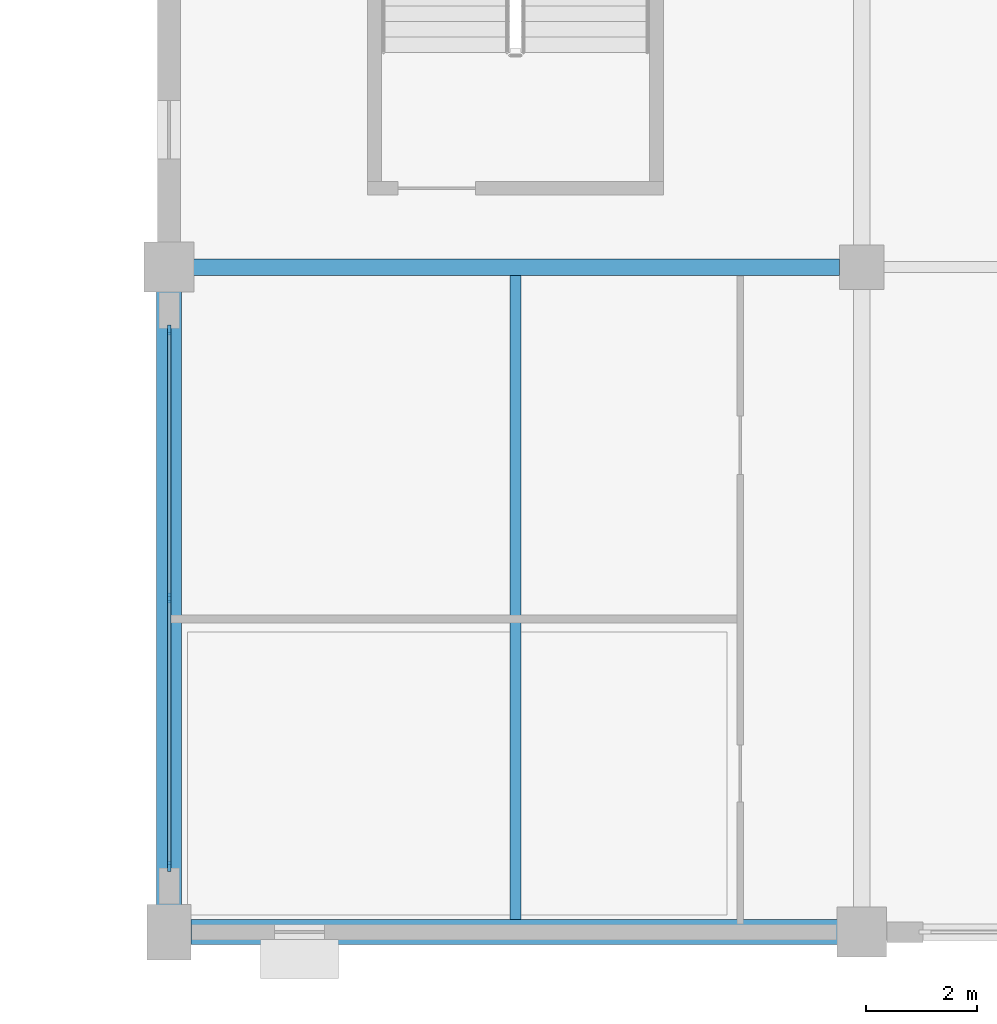
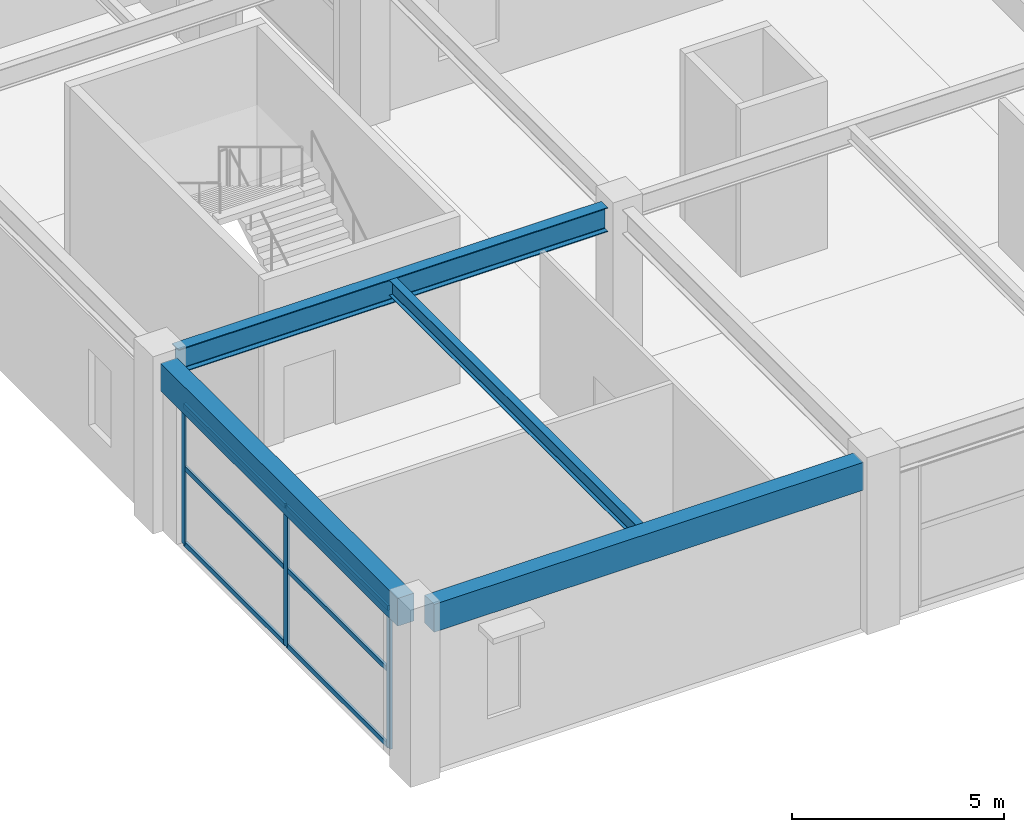
# One storey, part 9 of 116: 9 members, 4 beams, 1 element without a shape of its own.
"""IFC4 building model written with IfcOpenShell, lengths in metres."""

from ifc_helpers import new_model, si_unit, direction, frame, origin, origin_2d, place, context, subcontext, project, spatial, rectangle, i_section, extrude, material, layer, layer_set, material_profile, profile_set, type_object, element, aggregate, save


model = new_model("IFC4")

# Units and contexts
model_context = context("Model", 3, precision=1e-05, world=origin(), true_north=direction((0.0, 1.0)))
body_context = subcontext(model_context, "Body", "Model", "MODEL_VIEW")
ifc_project = project(units=[si_unit("LENGTHUNIT", "METRE"), si_unit("AREAUNIT", "SQUARE_METRE"), si_unit("VOLUMEUNIT", "CUBIC_METRE"), si_unit("PLANEANGLEUNIT", "RADIAN"), si_unit("MASSUNIT", "GRAM", prefix="KILO")], contexts=[model_context])

# Site, building, storey
site_placement = place(None, origin())
site = spatial("IfcSite", under=ifc_project, at=site_placement, CompositionType="ELEMENT")
building_placement = place(site_placement, origin())
building = spatial("IfcBuilding", under=site, at=building_placement, Name="Kazenohara Klinker Stadium", CompositionType="ELEMENT")
storey_placement = place(building_placement, frame((0.0, 0.0, 10.199951171875)))
storey = spatial("IfcBuildingStorey", under=building, at=storey_placement, Name="L02", CompositionType="ELEMENT", Elevation=10.199951171875)

# Beams
ifc_material_1 = material(Name="Steel S355", Category="steel")
ifc_material_profile_1 = material_profile(ifc_material_1, i_section(OverallWidth=0.199951171875, OverallDepth=0.449951171875, WebThickness=0.009033203125, FlangeThickness=0.013916015625, FilletRadius=0.012939453125, at=origin_2d()), Name="H-450x200x9x14")
ifc_profile_set_1 = profile_set([ifc_material_profile_1], Name="Steel S355")
beam_type_1 = type_object("IfcBeamType", Name="BM-JST02", PredefinedType="JOIST", material=ifc_profile_set_1)
beam_1_placement = place(storey_placement, frame((30.25, 12.22509765625, 4.594970703125), z_axis=(0.0, 1.0, 0.0), x_axis=(-1.0, 0.0, 0.0)))
element("IfcBeam", 1, at=beam_1_placement, inside=storey, type_object=beam_type_1, Name="Secondary floor joist SJ02 L02 3/B", PredefinedType="JOIST", context=body_context, shape_type="SweptSolid", body=[
    extrude(i_section(OverallWidth=0.199951171875, OverallDepth=0.449951171875, WebThickness=0.009033203125, FlangeThickness=0.013916015625, FilletRadius=0.012939453125, at=origin_2d()), origin(), (0.0, 0.0, 1.0), 11.625),
])
ifc_material_2 = material(Name="Concrete C40/50", Category="concrete")
ifc_material_profile_2 = material_profile(ifc_material_2, rectangle(XDim=0.449951171875, YDim=0.800048828125, at=origin_2d()), Name="RC-BM-450x800")
ifc_profile_set_2 = profile_set([ifc_material_profile_2], Name="Concrete C40/50")
beam_type_2 = type_object("IfcBeamType", Name="BM-RC03", PredefinedType="BEAM", material=ifc_profile_set_2)
beam_2_placement = place(storey_placement, frame((24.39990234375, 12.0, 4.420166015625), z_axis=(1.0, 0.0, 0.0), x_axis=(0.0, 1.0, 0.0)))
element("IfcBeam", 2, at=beam_2_placement, inside=storey, type_object=beam_type_2, Name="Primary girder BG03 L02 3-4/B", PredefinedType="BEAM", context=body_context, shape_type="SweptSolid", body=[
    extrude(rectangle(XDim=0.449951171875, YDim=0.800048828125, at=origin_2d()), origin(), (0.0, 0.0, 1.0), 11.68017578125),
])
beam_3_placement = place(storey_placement, frame((24.0, 12.419921875, 4.420166015625), z_axis=(0.0, 1.0, 0.0), x_axis=(-1.0, 0.0, 0.0)))
element("IfcBeam", 3, at=beam_3_placement, inside=storey, type_object=beam_type_2, Name="Primary girder BG03 L02 3/B-C", PredefinedType="BEAM", context=body_context, shape_type="SweptSolid", body=[
    extrude(rectangle(XDim=0.449951171875, YDim=0.800048828125, at=origin_2d()), origin(), (0.0, 0.0, 1.0), 11.16015625),
])
ifc_material_profile_3 = material_profile(ifc_material_1, i_section(OverallWidth=0.300048828125, OverallDepth=0.699951171875, WebThickness=0.012939453125, FlangeThickness=0.02392578125, FilletRadius=0.02197265625, at=origin_2d()), Name="H-700x300x13x24")
ifc_profile_set_3 = profile_set([ifc_material_profile_3], Name="Steel S355")
beam_type_3 = type_object("IfcBeamType", Name="BM-ST03", PredefinedType="BEAM", material=ifc_profile_set_3)
beam_4_placement = place(storey_placement, frame((24.419921875, 24.0, 4.469970703125), z_axis=(1.0, 0.0, 0.0), x_axis=(0.0, 1.0, 0.0)))
element("IfcBeam", 4, at=beam_4_placement, inside=storey, type_object=beam_type_3, Name="Primary girder SB03 L02 3-4/C", PredefinedType="BEAM", context=body_context, shape_type="SweptSolid", body=[
    extrude(i_section(OverallWidth=0.300048828125, OverallDepth=0.699951171875, WebThickness=0.012939453125, FlangeThickness=0.02392578125, FilletRadius=0.02197265625, at=origin_2d()), origin(), (0.0, 0.0, 1.0), 11.68017578125),
])

# Curtain wall, members
ifc_material_3 = material(Name="Anodised aluminium and triple glazing", Category="aluminium")
ifc_layer = layer(ifc_material_3, 0.18994140625)
ifc_layer_set = layer_set([ifc_layer], Name="Anodised aluminium and triple glazing")
curtain_wall_type = type_object("IfcCurtainWallType", Name="CW-SYS-05", PredefinedType="USERDEFINED", material=ifc_layer_set)
curtain_wall_placement = place(storey_placement, origin())
curtain_wall = element("IfcCurtainWall", 5, at=curtain_wall_placement, inside=storey, type_object=curtain_wall_type, Name="Unitised facade curtain wall CW05 L02 Y2-1", ObjectType="UNITISED CURTAIN WALL", PredefinedType="USERDEFINED")
ifc_material_4 = material(Name="Anodised aluminium 6063-T6", Category="aluminium")
ifc_material_profile_4 = material_profile(ifc_material_4, rectangle(XDim=0.06494140625, YDim=0.179931640625, at=origin_2d()), Name="ALU-MUL-65x180")
ifc_profile_set_4 = profile_set([ifc_material_profile_4], Name="Anodised aluminium 6063-T6")
member_type_1 = type_object("IfcMemberType", Name="CW-MUL-180", PredefinedType="MULLION", material=ifc_profile_set_4)
member_1_placement = place(storey_placement, frame((24.0, 13.1865234375, 0.0), z_axis=(0.0, 0.0, 1.0), x_axis=(-1.0, 0.0, 0.0)))
member_1 = element("IfcMember", 6, at=member_1_placement, type_object=member_type_1, Name="CW05 mullion 1", PredefinedType="MULLION", context=body_context, shape_type="SweptSolid", body=[
    extrude(rectangle(XDim=0.06494140625, YDim=0.179931640625, at=origin_2d()), origin(), (0.0, 0.0, 1.0), 4.02001953125),
])
member_2_placement = place(storey_placement, frame((24.0, 18.02490234375, 0.0), z_axis=(0.0, 0.0, 1.0), x_axis=(-1.0, 0.0, 0.0)))
member_2 = element("IfcMember", 7, at=member_2_placement, type_object=member_type_1, Name="CW05 mullion 2", PredefinedType="MULLION", context=body_context, shape_type="SweptSolid", body=[
    extrude(rectangle(XDim=0.06494140625, YDim=0.179931640625, at=origin_2d()), origin(), (0.0, 0.0, 1.0), 4.02001953125),
])
member_3_placement = place(storey_placement, frame((24.0, 22.863525390625, 0.0), z_axis=(0.0, 0.0, 1.0), x_axis=(-1.0, 0.0, 0.0)))
member_3 = element("IfcMember", 8, at=member_3_placement, type_object=member_type_1, Name="CW05 mullion 3", PredefinedType="MULLION", context=body_context, shape_type="SweptSolid", body=[
    extrude(rectangle(XDim=0.06494140625, YDim=0.179931640625, at=origin_2d()), origin(), (0.0, 0.0, 1.0), 4.02001953125),
])
ifc_material_profile_5 = material_profile(ifc_material_4, rectangle(XDim=0.06494140625, YDim=0.139892578125, at=origin_2d()), Name="ALU-TRN-65x140")
ifc_profile_set_5 = profile_set([ifc_material_profile_5], Name="Anodised aluminium 6063-T6")
member_type_2 = type_object("IfcMemberType", Name="CW-TRN-140", PredefinedType="USERDEFINED", material=ifc_profile_set_5)
member_4_placement = place(storey_placement, frame((24.0, 13.218994140625, 0.032470703125), z_axis=(0.0, 1.0, 0.0), x_axis=(-1.0, 0.0, 0.0)))
member_4 = element("IfcMember", 9, at=member_4_placement, type_object=member_type_2, Name="CW05 transom 1.1", ObjectType="TRANSOM", PredefinedType="USERDEFINED", context=body_context, shape_type="SweptSolid", body=[
    extrude(rectangle(XDim=0.06494140625, YDim=0.139892578125, at=origin_2d()), origin(), (0.0, 0.0, 1.0), 4.7734375),
])
member_5_placement = place(storey_placement, frame((24.0, 13.218994140625, 2.2109375), z_axis=(0.0, 1.0, 0.0), x_axis=(-1.0, 0.0, 0.0)))
member_5 = element("IfcMember", 10, at=member_5_placement, type_object=member_type_2, Name="CW05 transom 1.2", ObjectType="TRANSOM", PredefinedType="USERDEFINED", context=body_context, shape_type="SweptSolid", body=[
    extrude(rectangle(XDim=0.06494140625, YDim=0.139892578125, at=origin_2d()), origin(), (0.0, 0.0, 1.0), 4.7734375),
])
member_6_placement = place(storey_placement, frame((24.0, 13.218994140625, 3.987548828125), z_axis=(0.0, 1.0, 0.0), x_axis=(-1.0, 0.0, 0.0)))
member_6 = element("IfcMember", 11, at=member_6_placement, type_object=member_type_2, Name="CW05 transom 1.3", ObjectType="TRANSOM", PredefinedType="USERDEFINED", context=body_context, shape_type="SweptSolid", body=[
    extrude(rectangle(XDim=0.06494140625, YDim=0.139892578125, at=origin_2d()), origin(), (0.0, 0.0, 1.0), 4.7734375),
])
member_7_placement = place(storey_placement, frame((24.0, 18.0576171875, 0.032470703125), z_axis=(0.0, 1.0, 0.0), x_axis=(-1.0, 0.0, 0.0)))
member_7 = element("IfcMember", 12, at=member_7_placement, type_object=member_type_2, Name="CW05 transom 2.1", ObjectType="TRANSOM", PredefinedType="USERDEFINED", context=body_context, shape_type="SweptSolid", body=[
    extrude(rectangle(XDim=0.06494140625, YDim=0.139892578125, at=origin_2d()), origin(), (0.0, 0.0, 1.0), 4.7734375),
])
member_8_placement = place(storey_placement, frame((24.0, 18.0576171875, 2.2109375), z_axis=(0.0, 1.0, 0.0), x_axis=(-1.0, 0.0, 0.0)))
member_8 = element("IfcMember", 13, at=member_8_placement, type_object=member_type_2, Name="CW05 transom 2.2", ObjectType="TRANSOM", PredefinedType="USERDEFINED", context=body_context, shape_type="SweptSolid", body=[
    extrude(rectangle(XDim=0.06494140625, YDim=0.139892578125, at=origin_2d()), origin(), (0.0, 0.0, 1.0), 4.7734375),
])
member_9_placement = place(storey_placement, frame((24.0, 18.0576171875, 3.987548828125), z_axis=(0.0, 1.0, 0.0), x_axis=(-1.0, 0.0, 0.0)))
member_9 = element("IfcMember", 14, at=member_9_placement, type_object=member_type_2, Name="CW05 transom 2.3", ObjectType="TRANSOM", PredefinedType="USERDEFINED", context=body_context, shape_type="SweptSolid", body=[
    extrude(rectangle(XDim=0.06494140625, YDim=0.139892578125, at=origin_2d()), origin(), (0.0, 0.0, 1.0), 4.7734375),
])
aggregate(curtain_wall, [member_1, member_2, member_3, member_4, member_5, member_6, member_7, member_8, member_9])

save(model, "model.ifc")
